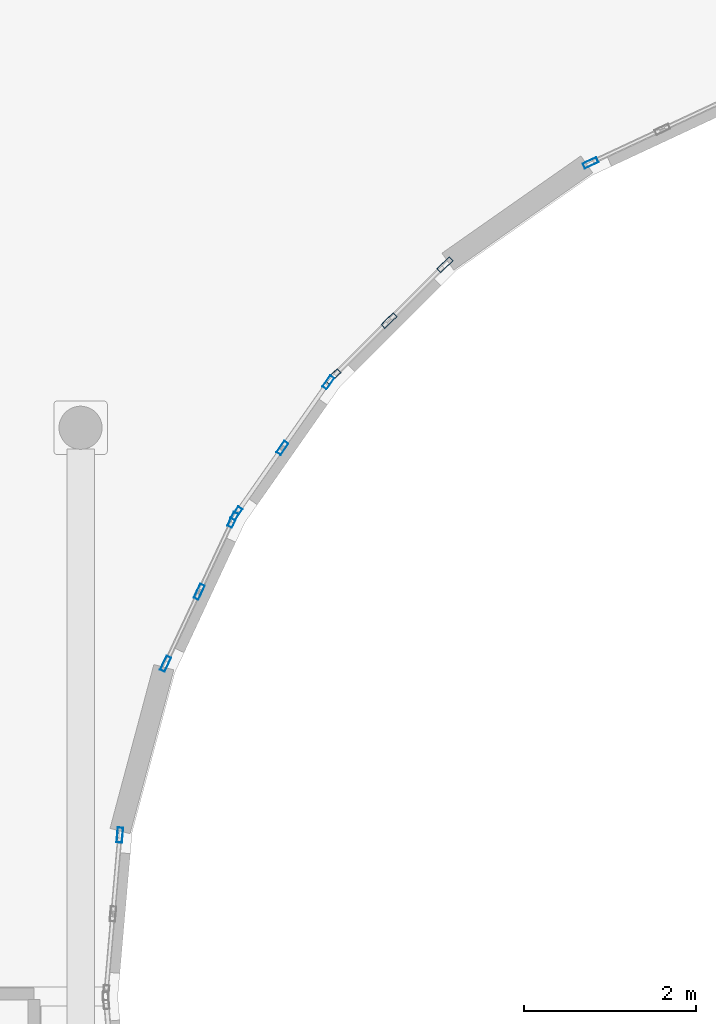
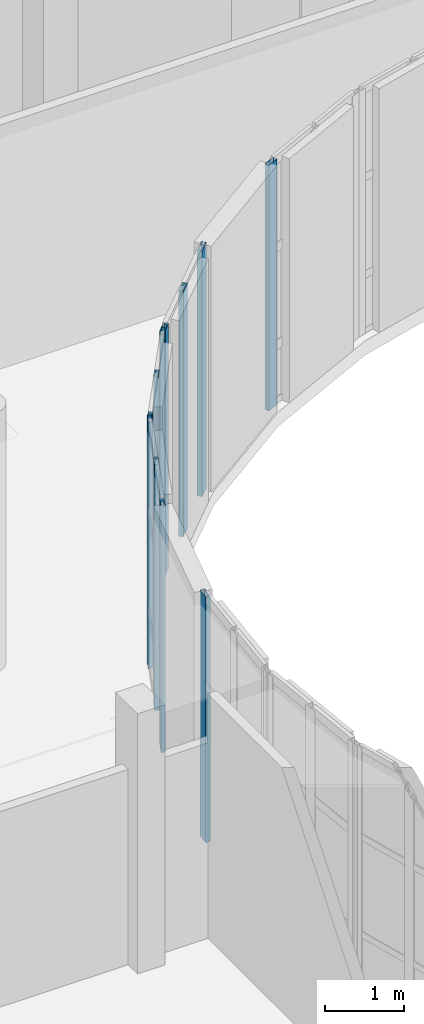
# One storey, part 19 of 89: 11 members, 5 elements without a shape of their own.
"""IFC4 building model written with IfcOpenShell, lengths in metres."""

import ifcopenshell
import ifcopenshell.guid

model = None  # the IFC model being written
_history = None  # IfcOwnerHistory: only IFC2X3 demands one
_inside = {}  # id of a spatial element -> (the spatial element, [elements in it])
_under = {}  # id of a project, library or spatial element -> (it, [spatial elements below it])
_declared = {}  # id of a project -> (the project, [libraries it declares])
_typed = {}  # id of a type object -> (the type object, [elements of that type])
_made_of = {}  # id of a material, layer set ... -> (it, [elements and type objects made of it])


def new_model(schema):
    """Start an empty IFC model of exactly this schema.

    Asked for "IFC4X3", IfcOpenShell would pick the latest addendum, in which some entities
    have other attributes; the version numbers below select the first issue.
    IFC2X3 requires an IfcOwnerHistory on every rooted entity: one is made here for all.
    """
    global model, _history
    if schema == "IFC4X3":
        model = ifcopenshell.file(schema_version=(4, 3, 0, 0))
    else:
        model = ifcopenshell.file(schema=schema)
    _inside.clear()
    _under.clear()
    _declared.clear()
    _typed.clear()
    _made_of.clear()
    _history = None
    if model.schema == "IFC2X3":
        org = make("IfcOrganization", Name="unknown")
        user = make(
            "IfcPersonAndOrganization",
            ThePerson=make("IfcPerson", FamilyName="unknown"),
            TheOrganization=org,
        )
        app = make(
            "IfcApplication",
            ApplicationDeveloper=org,
            Version="unknown",
            ApplicationFullName="unknown",
            ApplicationIdentifier="unknown",
        )
        _history = make(
            "IfcOwnerHistory",
            OwningUser=user,
            OwningApplication=app,
            ChangeAction="ADDED",
            CreationDate=0,
        )
    return model


def make(cls, **values):
    """One entity of the class cls with the attributes given. An attribute that is None is left unset."""
    return model.create_entity(
        cls, **{name: value for name, value in values.items() if value is not None}
    )


def rooted(cls, **values):
    """An entity with a GlobalId (a new one), such as an element, a storey or a relation."""
    return make(cls, GlobalId=ifcopenshell.guid.new(), OwnerHistory=_history, **values)


def si_unit(unit_type, name, prefix=None):
    """IfcSIUnit, for example si_unit("LENGTHUNIT", "METRE", prefix="MILLI")."""
    return make("IfcSIUnit", UnitType=unit_type, Prefix=prefix, Name=name)


def assignment(units):
    """IfcUnitAssignment: the units of a project."""
    return None if units is None else make("IfcUnitAssignment", Units=units)


def point(xyz):
    """IfcCartesianPoint."""
    return None if xyz is None else make("IfcCartesianPoint", Coordinates=xyz)


def direction(xyz):
    """IfcDirection."""
    return None if xyz is None else make("IfcDirection", DirectionRatios=xyz)


def frame(location, z_axis=None, x_axis=None):
    """IfcAxis2Placement3D, a coordinate frame: its origin and axes. An axis left out is left unset."""
    return make(
        "IfcAxis2Placement3D",
        Location=point(location),
        Axis=direction(z_axis),
        RefDirection=direction(x_axis),
    )


def frame_2d(location, x_axis=None):
    """IfcAxis2Placement2D, a coordinate frame in the plane: its origin and x axis."""
    return make(
        "IfcAxis2Placement2D", Location=point(location), RefDirection=direction(x_axis)
    )


def origin():
    """The frame at (0, 0, 0) with its axes left unset."""
    return frame((0.0, 0.0, 0.0))


def origin_2d():
    """The frame at (0, 0) in the plane with its x axis left unset."""
    return frame_2d((0.0, 0.0))


def place(relative_to, where):
    """IfcLocalPlacement: puts the frame where relative to a parent placement (None: the world)."""
    return make(
        "IfcLocalPlacement", PlacementRelTo=relative_to, RelativePlacement=where
    )


def context(
    kind, dimensions, precision=None, world=None, true_north=None, identifier=None
):
    """IfcGeometricRepresentationContext, for example the 3D "Model" context."""
    return make(
        "IfcGeometricRepresentationContext",
        ContextIdentifier=identifier,
        ContextType=kind,
        CoordinateSpaceDimension=dimensions,
        Precision=precision,
        WorldCoordinateSystem=world,
        TrueNorth=true_north,
    )


def subcontext(parent, identifier, kind, view, scale=None):
    """IfcGeometricRepresentationSubContext, for example "Body" below "Model"."""
    return make(
        "IfcGeometricRepresentationSubContext",
        ContextIdentifier=identifier,
        ContextType=kind,
        ParentContext=parent,
        TargetScale=scale,
        TargetView=view,
    )


def project(units=None, contexts=None):
    """IfcProject with its units and contexts."""
    return rooted(
        "IfcProject",
        Name="project",
        RepresentationContexts=contexts,
        UnitsInContext=assignment(units),
    )


def spatial(cls, under=None, at=None, **own):
    """A site, building, storey or space (cls), placed at a placement, below another one or the project."""
    s = rooted(cls, ObjectPlacement=at, **own)
    if under is not None:
        _under.setdefault(under.id(), (under, []))[1].append(s)
    return s


def profile(cls, at=None, kind="AREA", **sizes):
    """A parametric profile (cls). Its sizes go by their IFC names, for example OverallWidth=200.0."""
    return make(cls, ProfileType=kind, Position=at, **sizes)


def hollow_rectangle(**sizes):
    """IfcRectangleHollowProfileDef."""
    return profile("IfcRectangleHollowProfileDef", **sizes)


def extrude(swept, where, along, depth):
    """IfcExtrudedAreaSolid: the profile swept, set in the frame where, extruded along a direction by depth."""
    return make(
        "IfcExtrudedAreaSolid",
        SweptArea=swept,
        Position=where,
        ExtrudedDirection=direction(along),
        Depth=depth,
    )


def shape(context_of_items, identifier, shape_type, items):
    """IfcShapeRepresentation: the items that make up one representation, for example the "Body"."""
    return make(
        "IfcShapeRepresentation",
        ContextOfItems=context_of_items,
        RepresentationIdentifier=identifier,
        RepresentationType=shape_type,
        Items=items,
    )


def material(Name=None, Category=None):
    """IfcMaterial."""
    return make("IfcMaterial", Name=Name, Category=Category)


def layer(
    of_material, thickness, ventilated=None, Name=None, Category=None, Priority=None
):
    """IfcMaterialLayer: one layer of a wall or slab, of a material (None: an air gap)."""
    return make(
        "IfcMaterialLayer",
        Material=of_material,
        LayerThickness=thickness,
        IsVentilated=ventilated,
        Name=Name,
        Category=Category,
        Priority=Priority,
    )


def layer_set(layers, Name=None):
    """IfcMaterialLayerSet."""
    return make("IfcMaterialLayerSet", MaterialLayers=layers, LayerSetName=Name)


def material_profile(
    of_material, cross_section, Name=None, Category=None, Priority=None
):
    """IfcMaterialProfile: a cross section and its material."""
    return make(
        "IfcMaterialProfile",
        Name=Name,
        Material=of_material,
        Profile=cross_section,
        Priority=Priority,
        Category=Category,
    )


def profile_set(profiles, Name=None, composite=None):
    """IfcMaterialProfileSet."""
    return make(
        "IfcMaterialProfileSet",
        Name=Name,
        MaterialProfiles=profiles,
        CompositeProfile=composite,
    )


def made_of(thing, what):
    """Note that an element or type object is made of a material, layer set ...; save() writes the relation."""
    if what is not None:
        _made_of.setdefault(what.id(), (what, []))[1].append(thing)
    return thing


def type_object(cls, material=None, **own):
    """A type object (cls), such as IfcWallType, which elements share."""
    return made_of(rooted(cls, **own), material)


def element(
    cls,
    number,
    at=None,
    inside=None,
    cuts=None,
    type_object=None,
    material=None,
    context=None,
    identifier="Body",
    shape_type=None,
    held_by="IfcProductDefinitionShape",
    body=None,
    shapes=None,
    **own,
):
    """One element of the class cls, such as IfcWall. Its Tag is "e" and its number.

    at: its placement. inside: the storey or other place that contains it. cuts: it is an
    opening in that element (IfcRelVoidsElement). A single representation is given by context,
    identifier, shape_type and body (its items); several are given by shapes. held_by: the class
    of the entity that holds the representations. save() writes the other relations.
    """
    e = rooted(cls, Tag="e%d" % number, ObjectPlacement=at, **own)
    if body is not None:
        shapes = [shape(context, identifier, shape_type, body)]
    if shapes is not None:
        e.Representation = make(held_by, Representations=shapes)
    if inside is not None:
        _inside.setdefault(inside.id(), (inside, []))[1].append(e)
    if cuts is not None:
        rooted(
            "IfcRelVoidsElement", RelatingBuildingElement=cuts, RelatedOpeningElement=e
        )
    if type_object is not None:
        _typed.setdefault(type_object.id(), (type_object, []))[1].append(e)
    return made_of(e, material)


def aggregate(whole, parts):
    """IfcRelAggregates: a whole, such as a stair, and the parts it consists of."""
    return rooted("IfcRelAggregates", RelatingObject=whole, RelatedObjects=parts)


def save(model, path):
    """Write the relations noted so far, then the file.

    IfcRelAggregates (storeys below a building ...), IfcRelContainedInSpatialStructure (elements
    in a storey), IfcRelDefinesByType, IfcRelAssociatesMaterial and IfcRelDeclares: one each for
    every whole, place, type object, material and project.
    """
    for whole, parts in _under.values():
        aggregate(whole, parts)
    for where, things in _inside.values():
        rooted(
            "IfcRelContainedInSpatialStructure",
            RelatedElements=things,
            RelatingStructure=where,
        )
    for kind, things in _typed.values():
        rooted("IfcRelDefinesByType", RelatedObjects=things, RelatingType=kind)
    for what, things in _made_of.values():
        rooted("IfcRelAssociatesMaterial", RelatedObjects=things, RelatingMaterial=what)
    for by, libraries in _declared.values():
        rooted("IfcRelDeclares", RelatingContext=by, RelatedDefinitions=libraries)
    model.write(path)


model = new_model("IFC4")

# Units and contexts
model_context = context("Model", 3, precision=1e-05, world=origin(), true_north=direction((0.0, 1.0)))
body_context = subcontext(model_context, "Body", "Model", "MODEL_VIEW")
ifc_project = project(units=[si_unit("LENGTHUNIT", "METRE"), si_unit("AREAUNIT", "SQUARE_METRE"), si_unit("VOLUMEUNIT", "CUBIC_METRE"), si_unit("PLANEANGLEUNIT", "RADIAN"), si_unit("MASSUNIT", "GRAM", prefix="KILO")], contexts=[model_context])

# Site, building, storey
site_placement = place(None, origin())
site = spatial("IfcSite", under=ifc_project, at=site_placement, CompositionType="ELEMENT")
building_placement = place(site_placement, origin())
building = spatial("IfcBuilding", under=site, at=building_placement, Name="Kelanivale Promenade Academy", CompositionType="ELEMENT")
storey_placement = place(building_placement, frame((0.0, 0.0, 12.199951171875)))
storey = spatial("IfcBuildingStorey", under=building, at=storey_placement, Name="L03", CompositionType="ELEMENT", Elevation=12.199951171875)

# Curtain wall, members
ifc_material_1 = material(Name="Bronze anodised aluminium and solar-control low-E glass", Category="aluminium")
ifc_layer_1 = layer(ifc_material_1, 0.159912109375)
ifc_layer_set_1 = layer_set([ifc_layer_1], Name="Bronze anodised aluminium and solar-control low-E glass")
curtain_wall_type_1 = type_object("IfcCurtainWallType", Name="CW-21 Curtain Wall 1650mm Module", PredefinedType="USERDEFINED", material=ifc_layer_set_1)
curtain_wall_1_placement = place(storey_placement, origin())
curtain_wall_1 = element("IfcCurtainWall", 1, at=curtain_wall_1_placement, inside=storey, type_object=curtain_wall_type_1, Name="L03 courtyard curtain wall CW-21", ObjectType="COURTYARD SCREEN GLAZING", PredefinedType="USERDEFINED")
ifc_material_2 = material(Name="Bronze anodised aluminium EN AW-6063 T6", Category="aluminium")
ifc_material_profile_1 = material_profile(ifc_material_2, hollow_rectangle(XDim=0.06005859375, YDim=0.159912109375, WallThickness=0.00390625, at=origin_2d()), Name="ALU 60x160x4.0")
ifc_profile_set_1 = profile_set([ifc_material_profile_1], Name="Bronze anodised aluminium EN AW-6063 T6")
member_type_1 = type_object("IfcMemberType", Name="CWM-01 ALU 60x160x4.0", PredefinedType="MULLION", material=ifc_profile_set_1)
member_1_placement = place(storey_placement, frame((54.841796875, 63.926513671875, 0.0), z_axis=(0.0, 0.0, 1.0), x_axis=(0.81915842439, -0.573567324515, 0.0)))
member_1 = element("IfcMember", 2, at=member_1_placement, type_object=member_type_1, Name="CW-21 mullion 1", PredefinedType="MULLION", context=body_context, shape_type="SweptSolid", body=[
    extrude(hollow_rectangle(XDim=0.06005859375, YDim=0.159912109375, WallThickness=0.00390625, at=origin_2d()), origin(), (0.0, 0.0, 1.0), 3.780029296875),
])
member_2_placement = place(storey_placement, frame((54.30908203125, 63.16552734375, 0.0), z_axis=(0.0, 0.0, 1.0), x_axis=(0.81915842439, -0.573567324515, 0.0)))
member_2 = element("IfcMember", 3, at=member_2_placement, type_object=member_type_1, Name="CW-21 mullion 2", PredefinedType="MULLION", context=body_context, shape_type="SweptSolid", body=[
    extrude(hollow_rectangle(XDim=0.06005859375, YDim=0.159912109375, WallThickness=0.00390625, at=origin_2d()), origin(), (0.0, 0.0, 1.0), 3.780029296875),
])
member_3_placement = place(storey_placement, frame((53.776123046875, 62.404541015625, 0.0), z_axis=(0.0, 0.0, 1.0), x_axis=(0.81915842439, -0.573567324515, 0.0)))
member_3 = element("IfcMember", 4, at=member_3_placement, type_object=member_type_1, Name="CW-21 mullion 3", PredefinedType="MULLION", context=body_context, shape_type="SweptSolid", body=[
    extrude(hollow_rectangle(XDim=0.06005859375, YDim=0.159912109375, WallThickness=0.00390625, at=origin_2d()), origin(), (0.0, 0.0, 1.0), 3.780029296875),
])
aggregate(curtain_wall_1, [member_1, member_2, member_3])

ifc_layer_2 = layer(ifc_material_1, 0.169921875)
ifc_layer_set_2 = layer_set([ifc_layer_2], Name="Bronze anodised aluminium and solar-control low-E glass")
curtain_wall_type_2 = type_object("IfcCurtainWallType", Name="CW-22 Curtain Wall 1800mm Module", PredefinedType="USERDEFINED", material=ifc_layer_set_2)
curtain_wall_2_placement = place(storey_placement, origin())
curtain_wall_2 = element("IfcCurtainWall", 5, at=curtain_wall_2_placement, inside=storey, type_object=curtain_wall_type_2, Name="L03 courtyard curtain wall CW-22", ObjectType="COURTYARD SCREEN GLAZING", PredefinedType="USERDEFINED")
ifc_material_profile_2 = material_profile(ifc_material_2, hollow_rectangle(XDim=0.06005859375, YDim=0.179931640625, WallThickness=0.00390625, at=origin_2d()), Name="ALU 60x180x4.0")
ifc_profile_set_2 = profile_set([ifc_material_profile_2], Name="Bronze anodised aluminium EN AW-6063 T6")
member_type_2 = type_object("IfcMemberType", Name="CWM-02 ALU 60x180x4.0", PredefinedType="MULLION", material=ifc_profile_set_2)
member_4_placement = place(storey_placement, frame((53.734375, 62.331787109375, 0.0), z_axis=(0.0, 0.0, 1.0), x_axis=(0.906089128146, -0.423086860887, 0.0)))
member_4 = element("IfcMember", 6, at=member_4_placement, type_object=member_type_2, Name="CW-22 mullion 1", PredefinedType="MULLION", context=body_context, shape_type="SweptSolid", body=[
    extrude(hollow_rectangle(XDim=0.06005859375, YDim=0.179931640625, WallThickness=0.00390625, at=origin_2d()), origin(), (0.0, 0.0, 1.0), 3.780029296875),
])
member_5_placement = place(storey_placement, frame((53.344482421875, 61.4970703125, 0.0), z_axis=(0.0, 0.0, 1.0), x_axis=(0.906089128146, -0.423086860887, 0.0)))
member_5 = element("IfcMember", 7, at=member_5_placement, type_object=member_type_2, Name="CW-22 mullion 2", PredefinedType="MULLION", context=body_context, shape_type="SweptSolid", body=[
    extrude(hollow_rectangle(XDim=0.06005859375, YDim=0.179931640625, WallThickness=0.00390625, at=origin_2d()), origin(), (0.0, 0.0, 1.0), 3.780029296875),
])
member_6_placement = place(storey_placement, frame((52.95458984375, 60.662109375, 0.0), z_axis=(0.0, 0.0, 1.0), x_axis=(0.906089128146, -0.423086860887, 0.0)))
member_6 = element("IfcMember", 8, at=member_6_placement, type_object=member_type_2, Name="CW-22 mullion 3", PredefinedType="MULLION", context=body_context, shape_type="SweptSolid", body=[
    extrude(hollow_rectangle(XDim=0.06005859375, YDim=0.179931640625, WallThickness=0.00390625, at=origin_2d()), origin(), (0.0, 0.0, 1.0), 3.780029296875),
])
aggregate(curtain_wall_2, [member_4, member_5, member_6])

# Curtain wall, member
ifc_layer_3 = layer(ifc_material_1, 0.169921875)
ifc_layer_set_3 = layer_set([ifc_layer_3], Name="Bronze anodised aluminium and solar-control low-E glass")
curtain_wall_type_3 = type_object("IfcCurtainWallType", Name="CW-19 Curtain Wall 1350mm Module", PredefinedType="USERDEFINED", material=ifc_layer_set_3)
curtain_wall_3_placement = place(storey_placement, origin())
curtain_wall_3 = element("IfcCurtainWall", 9, at=curtain_wall_3_placement, inside=storey, type_object=curtain_wall_type_3, Name="L03 courtyard curtain wall CW-19", ObjectType="COURTYARD SCREEN GLAZING", PredefinedType="USERDEFINED")
ifc_material_profile_3 = material_profile(ifc_material_2, hollow_rectangle(XDim=0.06494140625, YDim=0.175048828125, WallThickness=0.00390625, at=origin_2d()), Name="ALU 65x175x4.0")
ifc_profile_set_3 = profile_set([ifc_material_profile_3], Name="Bronze anodised aluminium EN AW-6063 T6")
member_type_3 = type_object("IfcMemberType", Name="CWM-03 ALU 65x175x4.0", PredefinedType="MULLION", material=ifc_profile_set_3)
member_7_placement = place(storey_placement, frame((57.884521484375, 66.47265625, 0.0), z_axis=(0.0, 0.0, 1.0), x_axis=(0.423086860887, -0.906089128146, 0.0)))
member_7 = element("IfcMember", 10, at=member_7_placement, type_object=member_type_3, Name="CW-19 mullion 3", PredefinedType="MULLION", context=body_context, shape_type="SweptSolid", body=[
    extrude(hollow_rectangle(XDim=0.06494140625, YDim=0.175048828125, WallThickness=0.00390625, at=origin_2d()), origin(), (0.0, 0.0, 1.0), 3.780029296875),
])
aggregate(curtain_wall_3, [member_7])

ifc_layer_4 = layer(ifc_material_1, 0.179931640625)
ifc_layer_set_4 = layer_set([ifc_layer_4], Name="Bronze anodised aluminium and solar-control low-E glass")
curtain_wall_type_4 = type_object("IfcCurtainWallType", Name="CW-23 Curtain Wall 1950mm Module", PredefinedType="USERDEFINED", material=ifc_layer_set_4)
curtain_wall_4_placement = place(storey_placement, origin())
curtain_wall_4 = element("IfcCurtainWall", 11, at=curtain_wall_4_placement, inside=storey, type_object=curtain_wall_type_4, Name="L03 courtyard curtain wall CW-23", ObjectType="COURTYARD SCREEN GLAZING", PredefinedType="USERDEFINED")
member_8_placement = place(storey_placement, frame((52.424072265625, 58.674560546875, 0.0), z_axis=(0.0, 0.0, 1.0), x_axis=(0.996185153601, -0.087264768066, 0.0)))
member_8 = element("IfcMember", 12, at=member_8_placement, type_object=member_type_3, Name="CW-23 mullion 1", PredefinedType="MULLION", context=body_context, shape_type="SweptSolid", body=[
    extrude(hollow_rectangle(XDim=0.06494140625, YDim=0.175048828125, WallThickness=0.00390625, at=origin_2d()), origin(), (0.0, 0.0, 1.0), 3.780029296875),
])
aggregate(curtain_wall_4, [member_8])

# Curtain wall, members
ifc_layer_5 = layer(ifc_material_1, 0.179931640625)
ifc_layer_set_5 = layer_set([ifc_layer_5], Name="Bronze anodised aluminium and solar-control low-E glass")
curtain_wall_type_5 = type_object("IfcCurtainWallType", Name="CW-20 Curtain Wall 1500mm Module", PredefinedType="USERDEFINED", material=ifc_layer_set_5)
curtain_wall_5_placement = place(storey_placement, origin())
curtain_wall_5 = element("IfcCurtainWall", 13, at=curtain_wall_5_placement, inside=storey, type_object=curtain_wall_type_5, Name="L03 courtyard curtain wall CW-20", ObjectType="COURTYARD SCREEN GLAZING", PredefinedType="USERDEFINED")
ifc_material_profile_4 = material_profile(ifc_material_2, hollow_rectangle(XDim=0.06494140625, YDim=0.199951171875, WallThickness=0.00439453125, at=origin_2d()), Name="ALU 65x200x4.5")
ifc_profile_set_4 = profile_set([ifc_material_profile_4], Name="Bronze anodised aluminium EN AW-6063 T6")
member_type_4 = type_object("IfcMemberType", Name="CWM-04 ALU 65x200x4.5", PredefinedType="MULLION", material=ifc_profile_set_4)
member_9_placement = place(storey_placement, frame((56.196044921875, 65.291015625, 0.0), z_axis=(0.0, 0.0, 1.0), x_axis=(0.707106781187, -0.707106781187, 0.0)))
member_9 = element("IfcMember", 14, at=member_9_placement, type_object=member_type_4, Name="CW-20 mullion 1", PredefinedType="MULLION", context=body_context, shape_type="SweptSolid", body=[
    extrude(hollow_rectangle(XDim=0.06494140625, YDim=0.199951171875, WallThickness=0.00439453125, at=origin_2d()), origin(), (0.0, 0.0, 1.0), 3.780029296875),
])
member_10_placement = place(storey_placement, frame((55.547119140625, 64.64208984375, 0.0), z_axis=(0.0, 0.0, 1.0), x_axis=(0.707106781187, -0.707106781187, 0.0)))
member_10 = element("IfcMember", 15, at=member_10_placement, type_object=member_type_4, Name="CW-20 mullion 2", PredefinedType="MULLION", context=body_context, shape_type="SweptSolid", body=[
    extrude(hollow_rectangle(XDim=0.06494140625, YDim=0.199951171875, WallThickness=0.00439453125, at=origin_2d()), origin(), (0.0, 0.0, 1.0), 3.780029296875),
])
member_11_placement = place(storey_placement, frame((54.89794921875, 63.992919921875, 0.0), z_axis=(0.0, 0.0, 1.0), x_axis=(0.707106781187, -0.707106781187, 0.0)))
member_11 = element("IfcMember", 16, at=member_11_placement, type_object=member_type_4, Name="CW-20 mullion 3", PredefinedType="MULLION", context=body_context, shape_type="SweptSolid", body=[
    extrude(hollow_rectangle(XDim=0.06494140625, YDim=0.199951171875, WallThickness=0.00439453125, at=origin_2d()), origin(), (0.0, 0.0, 1.0), 3.780029296875),
])
aggregate(curtain_wall_5, [member_9, member_10, member_11])

save(model, "model.ifc")
